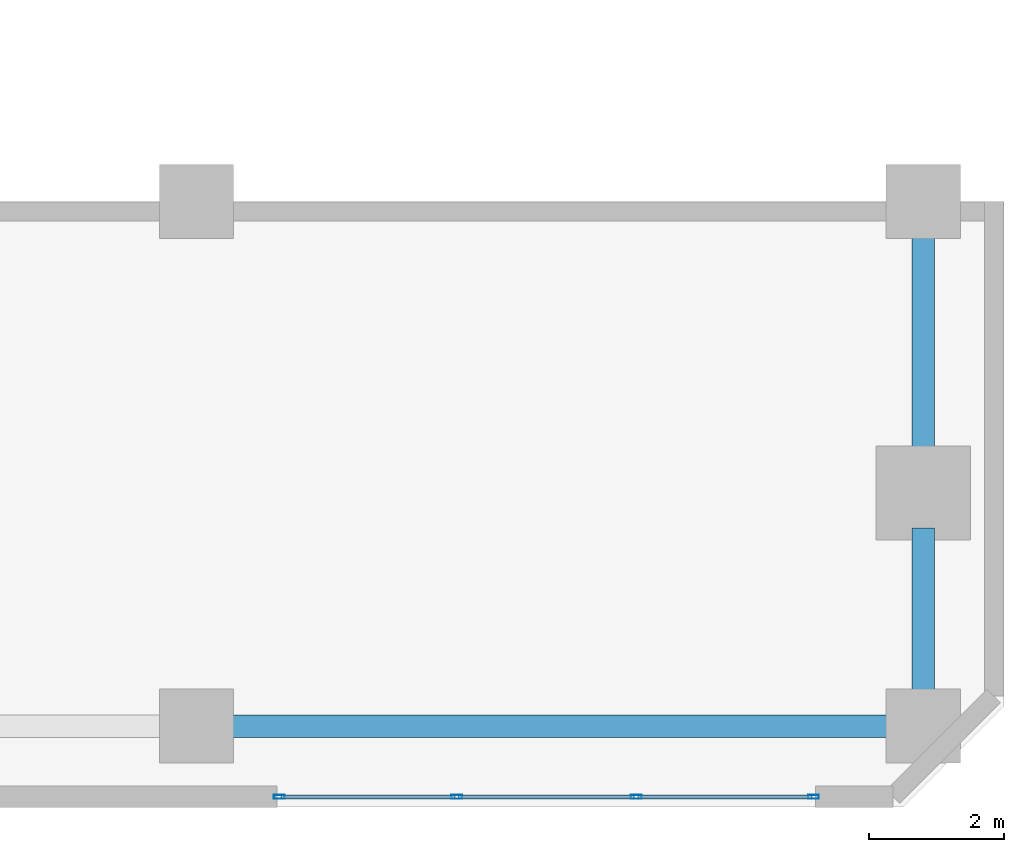
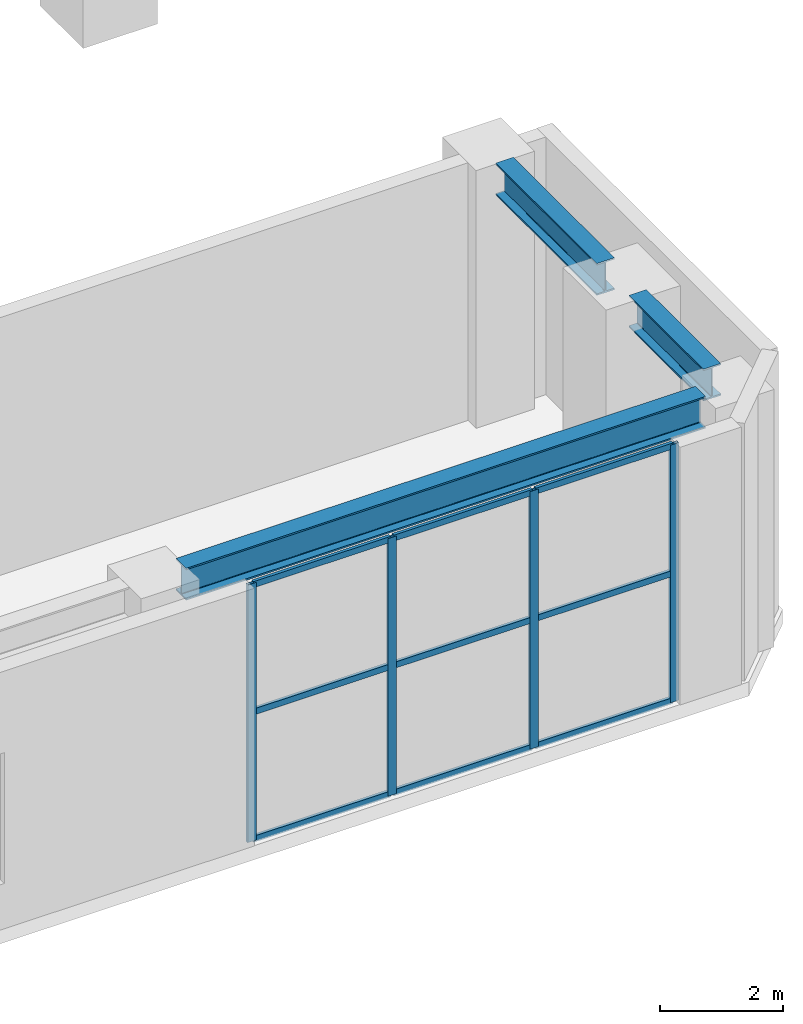
# One storey, part 10 of 28: 13 members, 3 beams, 1 element without a shape of its own.
"""IFC4 building model written with IfcOpenShell, lengths in metres."""

from ifc_helpers import new_model, si_unit, direction, frame, origin, origin_2d, place, context, subcontext, project, spatial, hollow_rectangle, i_section, extrude, material, layer, layer_set, material_profile, profile_set, type_object, element, aggregate, save


model = new_model("IFC4")

# Units and contexts
model_context = context("Model", 3, precision=1e-05, world=origin(), true_north=direction((0.0, 1.0)))
body_context = subcontext(model_context, "Body", "Model", "MODEL_VIEW")
ifc_project = project(units=[si_unit("LENGTHUNIT", "METRE"), si_unit("AREAUNIT", "SQUARE_METRE"), si_unit("VOLUMEUNIT", "CUBIC_METRE"), si_unit("PLANEANGLEUNIT", "RADIAN"), si_unit("MASSUNIT", "GRAM", prefix="KILO")], contexts=[model_context])

# Site, building, storey
site_placement = place(None, origin())
site = spatial("IfcSite", under=ifc_project, at=site_placement, CompositionType="ELEMENT")
building_placement = place(site_placement, origin())
building = spatial("IfcBuilding", under=site, at=building_placement, Name="Sarneth Arch Tower", CompositionType="ELEMENT")
storey_placement = place(building_placement, frame((0.0, 0.0, 6.0)))
storey = spatial("IfcBuildingStorey", under=building, at=storey_placement, Name="L01", CompositionType="ELEMENT", Elevation=6.0)

# Beams
ifc_material_1 = material(Name="Steel S355", Category="steel")
ifc_material_profile_1 = material_profile(ifc_material_1, i_section(OverallWidth=0.3291015625, OverallDepth=0.635009765625, WebThickness=0.017822265625, FlangeThickness=0.031005859375, FilletRadius=0.01904296875, at=origin_2d()), Name="W610x241")
ifc_profile_set_1 = profile_set([ifc_material_profile_1], Name="Steel S355")
beam_type = type_object("IfcBeamType", Name="BM-POD-610", PredefinedType="BEAM", material=ifc_profile_set_1)
beam_1_placement = place(storey_placement, frame((76.52001953125, 9.199951171875, 4.802490234375), z_axis=(1.0, 0.0, 0.0), x_axis=(0.0, 1.0, 0.0)))
element("IfcBeam", 1, at=beam_1_placement, inside=storey, type_object=beam_type, Name="L01 Podium PS girder 8", PredefinedType="BEAM", context=body_context, shape_type="SweptSolid", body=[
    extrude(i_section(OverallWidth=0.3291015625, OverallDepth=0.635009765625, WebThickness=0.017822265625, FlangeThickness=0.031005859375, FilletRadius=0.01904296875, at=origin_2d()), origin(), (0.0, 0.0, 1.0), 9.760009765625),
])
beam_2_placement = place(storey_placement, frame((86.800048828125, 9.719970703125, 4.802490234375), z_axis=(0.0, 1.0, 0.0), x_axis=(-1.0, 0.0, 0.0)))
element("IfcBeam", 2, at=beam_2_placement, inside=storey, type_object=beam_type, Name="L01 Podium PE girder 1", PredefinedType="BEAM", context=body_context, shape_type="SweptSolid", body=[
    extrude(i_section(OverallWidth=0.3291015625, OverallDepth=0.635009765625, WebThickness=0.017822265625, FlangeThickness=0.031005859375, FilletRadius=0.01904296875, at=origin_2d()), origin(), (0.0, 0.0, 1.0), 2.42333984375),
])
beam_3_placement = place(storey_placement, frame((86.800048828125, 13.183349609375, 4.802490234375), z_axis=(0.0, 1.0, 0.0), x_axis=(-1.0, 0.0, 0.0)))
element("IfcBeam", 3, at=beam_3_placement, inside=storey, type_object=beam_type, Name="L01 Podium PE girder 2", PredefinedType="BEAM", context=body_context, shape_type="SweptSolid", body=[
    extrude(i_section(OverallWidth=0.3291015625, OverallDepth=0.635009765625, WebThickness=0.017822265625, FlangeThickness=0.031005859375, FilletRadius=0.01904296875, at=origin_2d()), origin(), (0.0, 0.0, 1.0), 3.296630859375),
])

# Curtain wall, members
ifc_material_2 = material(Name="Anodised aluminium Type AA25 and solar-control low-e laminated IGU", Category="aluminium")
ifc_layer = layer(ifc_material_2, 0.179931640625)
ifc_layer_set = layer_set([ifc_layer], Name="Anodised aluminium Type AA25 and solar-control low-e laminated IGU")
curtain_wall_type = type_object("IfcCurtainWallType", Name="CW-PODIUM-CHAMF", PredefinedType="NOTDEFINED", material=ifc_layer_set)
curtain_wall_placement = place(storey_placement, origin())
curtain_wall = element("IfcCurtainWall", 4, at=curtain_wall_placement, inside=storey, type_object=curtain_wall_type, Name="L01 Podium bay curtain wall SE", PredefinedType="NOTDEFINED")
ifc_material_3 = material(Name="Anodised Aluminium 6063-T6", Category="aluminium")
ifc_material_profile_2 = material_profile(ifc_material_3, hollow_rectangle(XDim=0.06005859375, YDim=0.159912109375, WallThickness=0.00390625, at=origin_2d()), Name="AL-MULL-160x60x4")
ifc_profile_set_2 = profile_set([ifc_material_profile_2], Name="Anodised Aluminium 6063-T6")
member_type_1 = type_object("IfcMemberType", Name="CW-MULLION", PredefinedType="MULLION", material=ifc_profile_set_2)
member_1_placement = place(storey_placement, frame((77.22998046875, 8.14990234375, 0.0), z_axis=(0.0, 0.0, 1.0), x_axis=(0.0, 1.0, 0.0)))
member_1 = element("IfcMember", 5, at=member_1_placement, type_object=member_type_1, Name="CW-SYS-1 mullion 1", PredefinedType="MULLION", context=body_context, shape_type="SweptSolid", body=[
    extrude(hollow_rectangle(XDim=0.06005859375, YDim=0.159912109375, WallThickness=0.00390625, at=origin_2d()), origin(), (0.0, 0.0, 1.0), 5.1201171875),
])
member_2_placement = place(storey_placement, frame((79.86669921875, 8.14990234375, 0.0), z_axis=(0.0, 0.0, 1.0), x_axis=(0.0, 1.0, 0.0)))
member_2 = element("IfcMember", 6, at=member_2_placement, type_object=member_type_1, Name="CW-SYS-1 mullion 2", PredefinedType="MULLION", context=body_context, shape_type="SweptSolid", body=[
    extrude(hollow_rectangle(XDim=0.06005859375, YDim=0.159912109375, WallThickness=0.00390625, at=origin_2d()), origin(), (0.0, 0.0, 1.0), 5.1201171875),
])
member_3_placement = place(storey_placement, frame((82.533447265625, 8.14990234375, 0.0), z_axis=(0.0, 0.0, 1.0), x_axis=(0.0, 1.0, 0.0)))
member_3 = element("IfcMember", 7, at=member_3_placement, type_object=member_type_1, Name="CW-SYS-1 mullion 3", PredefinedType="MULLION", context=body_context, shape_type="SweptSolid", body=[
    extrude(hollow_rectangle(XDim=0.06005859375, YDim=0.159912109375, WallThickness=0.00390625, at=origin_2d()), origin(), (0.0, 0.0, 1.0), 5.1201171875),
])
member_4_placement = place(storey_placement, frame((85.169921875, 8.14990234375, 0.0), z_axis=(0.0, 0.0, 1.0), x_axis=(0.0, 1.0, 0.0)))
member_4 = element("IfcMember", 8, at=member_4_placement, type_object=member_type_1, Name="CW-SYS-1 mullion 4", PredefinedType="MULLION", context=body_context, shape_type="SweptSolid", body=[
    extrude(hollow_rectangle(XDim=0.06005859375, YDim=0.159912109375, WallThickness=0.00390625, at=origin_2d()), origin(), (0.0, 0.0, 1.0), 5.1201171875),
])
ifc_material_4 = material(Name="Anodised Aluminium 6063-T6", Category="aluminium")
ifc_material_profile_3 = material_profile(ifc_material_4, hollow_rectangle(XDim=0.06005859375, YDim=0.1201171875, WallThickness=0.00390625, at=origin_2d()), Name="AL-TRAN-120x60x4")
ifc_profile_set_3 = profile_set([ifc_material_profile_3], Name="Anodised Aluminium 6063-T6")
member_type_2 = type_object("IfcMemberType", Name="CW-TRANSOM", PredefinedType="USERDEFINED", material=ifc_profile_set_3)
member_5_placement = place(storey_placement, frame((77.260009765625, 8.14990234375, 0.030029296875), z_axis=(1.0, 0.0, 0.0), x_axis=(0.0, 1.0, 0.0)))
member_5 = element("IfcMember", 9, at=member_5_placement, type_object=member_type_2, Name="CW-SYS-1 transom 1.1", ObjectType="TRANSOM", PredefinedType="USERDEFINED", context=body_context, shape_type="SweptSolid", body=[
    extrude(hollow_rectangle(XDim=0.06005859375, YDim=0.1201171875, WallThickness=0.00390625, at=origin_2d()), origin(), (0.0, 0.0, 1.0), 2.57666015625),
])
member_6_placement = place(storey_placement, frame((77.260009765625, 8.14990234375, 2.56005859375), z_axis=(1.0, 0.0, 0.0), x_axis=(0.0, 1.0, 0.0)))
member_6 = element("IfcMember", 10, at=member_6_placement, type_object=member_type_2, Name="CW-SYS-1 transom 1.2", ObjectType="TRANSOM", PredefinedType="USERDEFINED", context=body_context, shape_type="SweptSolid", body=[
    extrude(hollow_rectangle(XDim=0.06005859375, YDim=0.1201171875, WallThickness=0.00390625, at=origin_2d()), origin(), (0.0, 0.0, 1.0), 2.57666015625),
])
member_7_placement = place(storey_placement, frame((77.260009765625, 8.14990234375, 5.090087890625), z_axis=(1.0, 0.0, 0.0), x_axis=(0.0, 1.0, 0.0)))
member_7 = element("IfcMember", 11, at=member_7_placement, type_object=member_type_2, Name="CW-SYS-1 transom 1.3", ObjectType="TRANSOM", PredefinedType="USERDEFINED", context=body_context, shape_type="SweptSolid", body=[
    extrude(hollow_rectangle(XDim=0.06005859375, YDim=0.1201171875, WallThickness=0.00390625, at=origin_2d()), origin(), (0.0, 0.0, 1.0), 2.57666015625),
])
member_8_placement = place(storey_placement, frame((79.896728515625, 8.14990234375, 0.030029296875), z_axis=(1.0, 0.0, 0.0), x_axis=(0.0, 1.0, 0.0)))
member_8 = element("IfcMember", 12, at=member_8_placement, type_object=member_type_2, Name="CW-SYS-1 transom 2.1", ObjectType="TRANSOM", PredefinedType="USERDEFINED", context=body_context, shape_type="SweptSolid", body=[
    extrude(hollow_rectangle(XDim=0.06005859375, YDim=0.1201171875, WallThickness=0.00390625, at=origin_2d()), origin(), (0.0, 0.0, 1.0), 2.606689453125),
])
member_9_placement = place(storey_placement, frame((79.896728515625, 8.14990234375, 2.56005859375), z_axis=(1.0, 0.0, 0.0), x_axis=(0.0, 1.0, 0.0)))
member_9 = element("IfcMember", 13, at=member_9_placement, type_object=member_type_2, Name="CW-SYS-1 transom 2.2", ObjectType="TRANSOM", PredefinedType="USERDEFINED", context=body_context, shape_type="SweptSolid", body=[
    extrude(hollow_rectangle(XDim=0.06005859375, YDim=0.1201171875, WallThickness=0.00390625, at=origin_2d()), origin(), (0.0, 0.0, 1.0), 2.606689453125),
])
member_10_placement = place(storey_placement, frame((79.896728515625, 8.14990234375, 5.090087890625), z_axis=(1.0, 0.0, 0.0), x_axis=(0.0, 1.0, 0.0)))
member_10 = element("IfcMember", 14, at=member_10_placement, type_object=member_type_2, Name="CW-SYS-1 transom 2.3", ObjectType="TRANSOM", PredefinedType="USERDEFINED", context=body_context, shape_type="SweptSolid", body=[
    extrude(hollow_rectangle(XDim=0.06005859375, YDim=0.1201171875, WallThickness=0.00390625, at=origin_2d()), origin(), (0.0, 0.0, 1.0), 2.606689453125),
])
member_11_placement = place(storey_placement, frame((82.563232421875, 8.14990234375, 0.030029296875), z_axis=(1.0, 0.0, 0.0), x_axis=(0.0, 1.0, 0.0)))
member_11 = element("IfcMember", 15, at=member_11_placement, type_object=member_type_2, Name="CW-SYS-1 transom 3.1", ObjectType="TRANSOM", PredefinedType="USERDEFINED", context=body_context, shape_type="SweptSolid", body=[
    extrude(hollow_rectangle(XDim=0.06005859375, YDim=0.1201171875, WallThickness=0.00390625, at=origin_2d()), origin(), (0.0, 0.0, 1.0), 2.57666015625),
])
member_12_placement = place(storey_placement, frame((82.563232421875, 8.14990234375, 2.56005859375), z_axis=(1.0, 0.0, 0.0), x_axis=(0.0, 1.0, 0.0)))
member_12 = element("IfcMember", 16, at=member_12_placement, type_object=member_type_2, Name="CW-SYS-1 transom 3.2", ObjectType="TRANSOM", PredefinedType="USERDEFINED", context=body_context, shape_type="SweptSolid", body=[
    extrude(hollow_rectangle(XDim=0.06005859375, YDim=0.1201171875, WallThickness=0.00390625, at=origin_2d()), origin(), (0.0, 0.0, 1.0), 2.57666015625),
])
member_13_placement = place(storey_placement, frame((82.563232421875, 8.14990234375, 5.090087890625), z_axis=(1.0, 0.0, 0.0), x_axis=(0.0, 1.0, 0.0)))
member_13 = element("IfcMember", 17, at=member_13_placement, type_object=member_type_2, Name="CW-SYS-1 transom 3.3", ObjectType="TRANSOM", PredefinedType="USERDEFINED", context=body_context, shape_type="SweptSolid", body=[
    extrude(hollow_rectangle(XDim=0.06005859375, YDim=0.1201171875, WallThickness=0.00390625, at=origin_2d()), origin(), (0.0, 0.0, 1.0), 2.57666015625),
])
aggregate(curtain_wall, [member_1, member_2, member_3, member_4, member_5, member_6, member_7, member_8, member_9, member_10, member_11, member_12, member_13])

save(model, "model.ifc")
